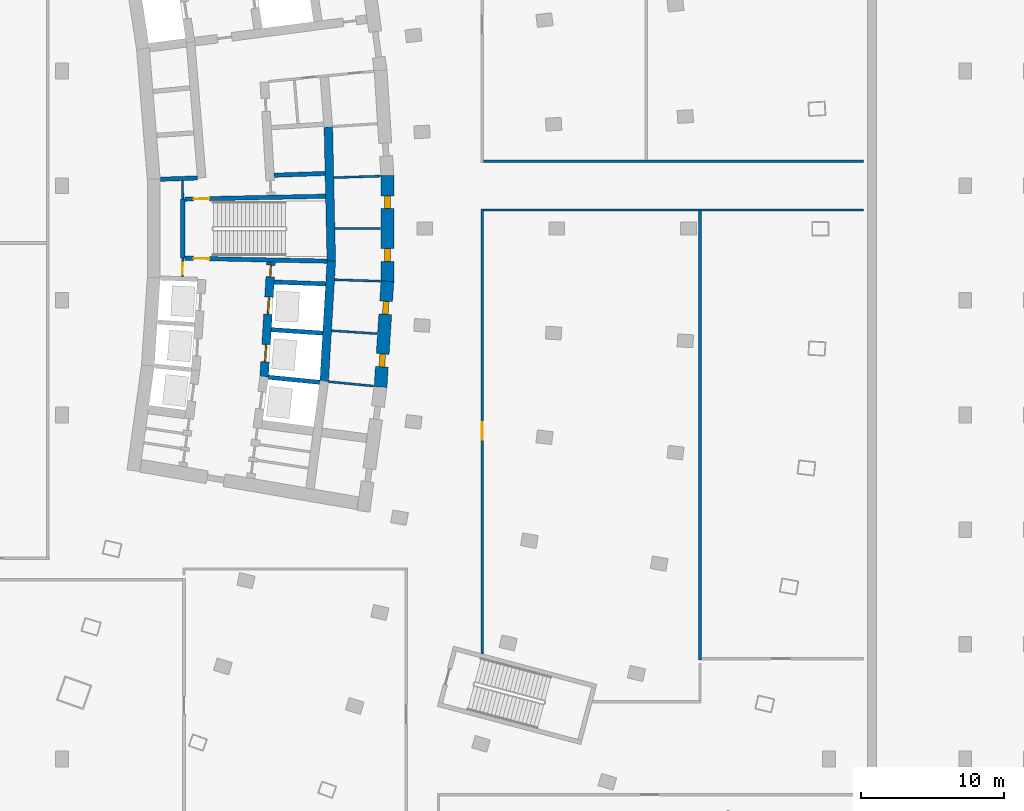
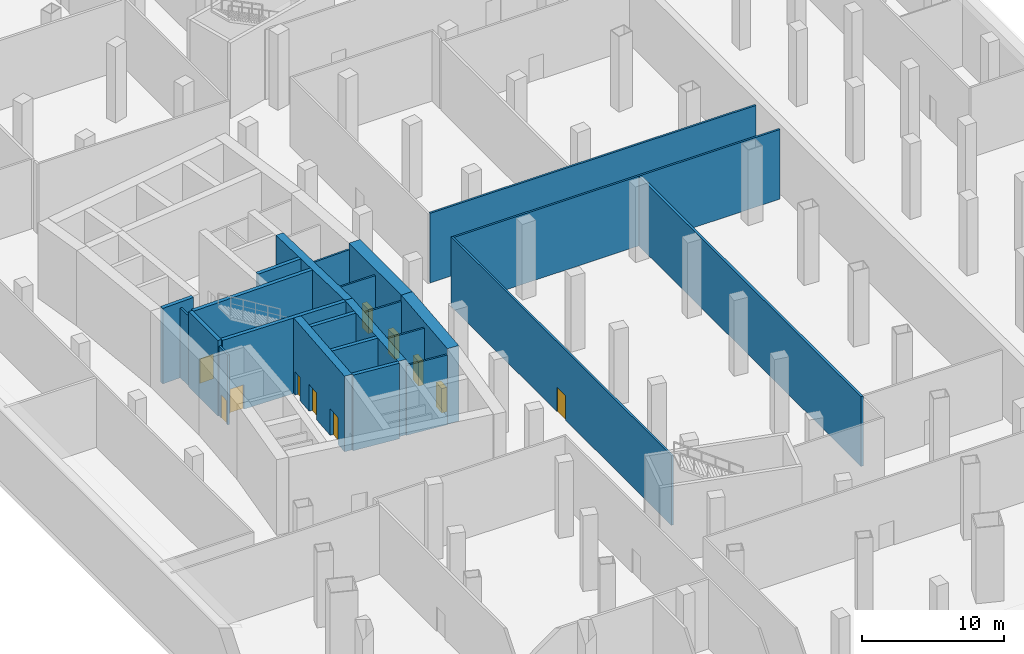
# One storey, part 5 of 16: 24 walls, 11 doors, 11 openings.
"""IFC4 building model written with IfcOpenShell, lengths in metres."""

from ifc_helpers import new_model, si_unit, direction, frame, frame_2d, origin, place, context, subcontext, project, spatial, rectangle, extrude, material, layer, layer_set, type_object, element, fill, save


model = new_model("IFC4")

# Units and contexts
model_context = context("Model", 3, precision=1e-05, world=origin(), true_north=direction((0.0, 1.0)))
body_context = subcontext(model_context, "Body", "Model", "MODEL_VIEW")
ifc_project = project(units=[si_unit("LENGTHUNIT", "METRE"), si_unit("AREAUNIT", "SQUARE_METRE"), si_unit("VOLUMEUNIT", "CUBIC_METRE"), si_unit("PLANEANGLEUNIT", "RADIAN"), si_unit("MASSUNIT", "GRAM", prefix="KILO")], contexts=[model_context])

# Site, building, storey
site_placement = place(None, origin())
site = spatial("IfcSite", under=ifc_project, at=site_placement, CompositionType="ELEMENT")
building_placement = place(site_placement, origin())
building = spatial("IfcBuilding", under=site, at=building_placement, Name="Alderwake Tower", CompositionType="ELEMENT")
storey_placement = place(building_placement, frame((0.0, 0.0, -6.5)))
storey = spatial("IfcBuildingStorey", under=building, at=storey_placement, Name="B1", CompositionType="ELEMENT", Elevation=-6.5)

# Wall, opening, door
ifc_material_1 = material(Name="Gypsum shaft wall system, rated")
ifc_layer_1 = layer(ifc_material_1, 0.14990234375)
ifc_layer_set_1 = layer_set([ifc_layer_1], Name="Core room partition 150")
wall_type_1 = type_object("IfcWallType", Name="Core room partition 150", PredefinedType="PARTITIONING", material=ifc_layer_set_1)
wall_1_placement = place(storey_placement, frame((18.918701171875, 58.94384765625, 0.0), z_axis=(0.0, 0.0, 1.0), x_axis=(-0.027348257573, -0.999625966453, 0.0)))
wall_1 = element("IfcWall", 1, at=wall_1_placement, inside=storey, type_object=wall_type_1, Name="CW/B1/PA+24_-37", PredefinedType="PARTITIONING", context=body_context, shape_type="SweptSolid", body=[
    extrude(rectangle(XDim=1.29443359375, YDim=0.14990234375, at=frame_2d((0.647216796875, 0.0))), origin(), (0.0, 0.0, 1.0), 6.0),
])
opening_1_placement = place(wall_1_placement, frame((0.322998046875, 0.0, 0.0)))
opening_1 = element("IfcOpeningElement", 2, at=opening_1_placement, cuts=wall_1, Name="Opening C004", PredefinedType="OPENING", context=body_context, shape_type="SweptSolid", body=[
    extrude(rectangle(XDim=0.800048828125, YDim=2.0, at=frame_2d((0.39990234375, 1.0))), frame((0.0, 0.0849609375, 0.0), z_axis=(0.0, -1.0, 0.0), x_axis=(1.0, 0.0, 0.0)), (0.0, 0.0, 1.0), 0.169921875),
])
ifc_material_2 = material(Name="Painted steel leaf, rated", Category="steel")
door_type_1 = type_object("IfcDoorType", Name="Riser access door 800", OperationType="SINGLE_SWING_LEFT", PredefinedType="DOOR", material=ifc_material_2)
door_1_placement = place(opening_1_placement, origin())
door_1 = element("IfcDoor", 3, at=door_1_placement, inside=storey, type_object=door_type_1, Name="Riser access door", OperationType="SINGLE_SWING_RIGHT", OverallHeight=2.0, OverallWidth=0.800048828125, PredefinedType="DOOR", context=body_context, shape_type="SweptSolid", body=[
    extrude(rectangle(XDim=0.800048828125, YDim=2.0, at=frame_2d((0.39990234375, 1.0))), frame((0.0, 0.02490234375, 0.0), z_axis=(0.0, -1.0, 0.0), x_axis=(1.0, 0.0, 0.0)), (0.0, 0.0, 1.0), 0.050048828125),
])
fill(opening_1, door_1)

# Walls
wall_2_placement = place(storey_placement, frame((18.918701171875, 63.05517578125, 0.0), z_axis=(0.0, 0.0, 1.0), x_axis=(-0.027327648352, 0.999626530078, 0.0)))
element("IfcWall", 4, at=wall_2_placement, inside=storey, type_object=wall_type_1, Name="CW/B1/PA+24_+22", PredefinedType="PARTITIONING", context=body_context, shape_type="SweptSolid", body=[
    extrude(rectangle(XDim=1.29541015625, YDim=0.14990234375, at=frame_2d((0.647705078125, 0.0))), origin(), (0.0, 0.0, 1.0), 6.0),
])
wall_3_placement = place(storey_placement, frame((29.0791015625, 50.326416015625, 0.0), z_axis=(0.0, 0.0, 1.0), x_axis=(0.995249181795, -0.097360495766, 0.0)))
element("IfcWall", 5, at=wall_3_placement, inside=storey, type_object=wall_type_1, Name="CW/B1/PR-102_+128", PredefinedType="PARTITIONING", context=body_context, shape_type="SweptSolid", body=[
    extrude(rectangle(XDim=3.169677734375, YDim=0.14990234375, at=frame_2d((1.5849609375, 0.0))), origin(), (0.0, 0.0, 1.0), 6.0),
])
wall_4_placement = place(storey_placement, frame((29.289794921875, 53.883056640625, 0.0), z_axis=(0.0, 0.0, 1.0), x_axis=(0.997885290873, -0.064999586616, 0.0)))
element("IfcWall", 6, at=wall_4_placement, inside=storey, type_object=wall_type_1, Name="CW/B1/PR-68_+128", PredefinedType="PARTITIONING", context=body_context, shape_type="SweptSolid", body=[
    extrude(rectangle(XDim=3.18896484375, YDim=0.14990234375, at=frame_2d((1.594482421875, 0.0))), origin(), (0.0, 0.0, 1.0), 6.0),
])
wall_5_placement = place(storey_placement, frame((29.50048828125, 57.4384765625, 0.0), z_axis=(0.0, 0.0, 1.0), x_axis=(0.999470508275, -0.032537717924, 0.0)))
element("IfcWall", 7, at=wall_5_placement, inside=storey, type_object=wall_type_1, Name="CW/B1/PR-34_+128", PredefinedType="PARTITIONING", context=body_context, shape_type="SweptSolid", body=[
    extrude(rectangle(XDim=3.21142578125, YDim=0.14990234375, at=frame_2d((1.605712890625, 0.0))), origin(), (0.0, 0.0, 1.0), 6.0),
])
wall_6_placement = place(storey_placement, frame((29.526123046875, 61.0, 0.0), z_axis=(0.0, 0.0, 1.0), x_axis=(1.0, 0.0, 0.0)))
element("IfcWall", 8, at=wall_6_placement, inside=storey, type_object=wall_type_1, Name="CW/B1/PR+0_+128", PredefinedType="PARTITIONING", context=body_context, shape_type="SweptSolid", body=[
    extrude(rectangle(XDim=3.18408203125, YDim=0.14990234375, at=frame_2d((1.592041015625, 0.0))), origin(), (0.0, 0.0, 1.0), 6.0),
])
wall_7_placement = place(storey_placement, frame((29.447509765625, 64.559814453125, 0.0), z_axis=(0.0, 0.0, 1.0), x_axis=(0.999470664956, 0.032532904763, 0.0)))
element("IfcWall", 9, at=wall_7_placement, inside=storey, type_object=wall_type_1, Name="CW/B1/PR+34_+128", PredefinedType="PARTITIONING", context=body_context, shape_type="SweptSolid", body=[
    extrude(rectangle(XDim=3.264404296875, YDim=0.14990234375, at=frame_2d((1.63232421875, 0.0))), origin(), (0.0, 0.0, 1.0), 6.0),
])

# Wall, openings, doors
ifc_material_3 = material(Name="Concrete C70/85", Category="concrete")
ifc_layer_2 = layer(ifc_material_3, 0.89990234375)
ifc_layer_set_2 = layer_set([ifc_layer_2], Name="Core wall outer 900 C70-85")
wall_type_2 = type_object("IfcWallType", Name="Core wall outer 900 C70-85", PredefinedType="SHEAR", material=ifc_layer_set_2)
wall_8_placement = place(storey_placement, frame((33.191162109375, 57.33349609375, 0.0), z_axis=(0.0, 0.0, 1.0), x_axis=(-0.064976219143, -0.997886812693, 0.0)))
wall_8 = element("IfcWall", 10, at=wall_8_placement, inside=storey, type_object=wall_type_2, Name="Core wall CW.011", PredefinedType="SHEAR", context=body_context, shape_type="SweptSolid", body=[
    extrude(rectangle(XDim=7.39453125, YDim=0.89990234375, at=frame_2d((3.697265625, 0.0))), origin(), (0.0, 0.0, 1.0), 6.5),
])
opening_2_placement = place(wall_8_placement, frame((5.087646484375, 0.0, 0.0)))
opening_2 = element("IfcOpeningElement", 11, at=opening_2_placement, cuts=wall_8, Name="Opening C027", PredefinedType="OPENING", context=body_context, shape_type="SweptSolid", body=[
    extrude(rectangle(XDim=0.89990234375, YDim=2.10009765625, at=frame_2d((0.449951171875, 1.050048828125))), frame((0.0, 0.4599609375, 0.0), z_axis=(0.0, -1.0, 0.0), x_axis=(1.0, 0.0, 0.0)), (0.0, 0.0, 1.0), 0.919921875),
])
opening_3_placement = place(wall_8_placement, frame((1.405517578125, 0.0, 0.0)))
opening_3 = element("IfcOpeningElement", 12, at=opening_3_placement, cuts=wall_8, Name="Opening C029", PredefinedType="OPENING", context=body_context, shape_type="SweptSolid", body=[
    extrude(rectangle(XDim=0.89990234375, YDim=2.10009765625, at=frame_2d((0.449951171875, 1.050048828125))), frame((0.0, 0.4599609375, 0.0), z_axis=(0.0, -1.0, 0.0), x_axis=(1.0, 0.0, 0.0)), (0.0, 0.0, 1.0), 0.919921875),
])
ifc_material_4 = material(Name="Painted steel leaf", Category="steel")
door_type_2 = type_object("IfcDoorType", Name="Core room door 900", OperationType="SINGLE_SWING_LEFT", PredefinedType="DOOR", material=ifc_material_4)
door_2_placement = place(opening_2_placement, origin())
door_2 = element("IfcDoor", 13, at=door_2_placement, inside=storey, type_object=door_type_2, Name="Room door", OperationType="SINGLE_SWING_RIGHT", OverallHeight=2.10009765625, OverallWidth=0.89990234375, PredefinedType="DOOR", context=body_context, shape_type="SweptSolid", body=[
    extrude(rectangle(XDim=0.89990234375, YDim=2.10009765625, at=frame_2d((0.449951171875, 1.050048828125))), frame((0.0, 0.199951171875, 0.0), z_axis=(0.0, -1.0, 0.0), x_axis=(1.0, 0.0, 0.0)), (0.0, 0.0, 1.0), 0.39990234375),
])
fill(opening_2, door_2)
door_3_placement = place(opening_3_placement, origin())
door_3 = element("IfcDoor", 14, at=door_3_placement, inside=storey, type_object=door_type_2, Name="Room door", OperationType="SINGLE_SWING_LEFT", OverallHeight=2.10009765625, OverallWidth=0.89990234375, PredefinedType="DOOR", context=body_context, shape_type="SweptSolid", body=[
    extrude(rectangle(XDim=0.89990234375, YDim=2.10009765625, at=frame_2d((0.449951171875, 1.050048828125))), frame((0.0, 0.199951171875, 0.0), z_axis=(0.0, -1.0, 0.0), x_axis=(1.0, 0.0, 0.0)), (0.0, 0.0, 1.0), 0.39990234375),
])
fill(opening_3, door_3)

wall_9_placement = place(storey_placement, frame((33.190185546875, 64.69677734375, 0.0), z_axis=(0.0, 0.0, 1.0), x_axis=(0.0, -1.0, 0.0)))
wall_9 = element("IfcWall", 15, at=wall_9_placement, inside=storey, type_object=wall_type_2, Name="Core wall CW.013", PredefinedType="SHEAR", context=body_context, shape_type="SweptSolid", body=[
    extrude(rectangle(XDim=7.3935546875, YDim=0.89990234375, at=frame_2d((3.69677734375, 0.0))), origin(), (0.0, 0.0, 1.0), 6.5),
])
opening_4_placement = place(wall_9_placement, frame((5.087646484375, 0.0, 0.0)))
opening_4 = element("IfcOpeningElement", 16, at=opening_4_placement, cuts=wall_9, Name="Opening C031", PredefinedType="OPENING", context=body_context, shape_type="SweptSolid", body=[
    extrude(rectangle(XDim=0.89990234375, YDim=2.10009765625, at=frame_2d((0.449951171875, 1.050048828125))), frame((0.0, 0.4599609375, 0.0), z_axis=(0.0, -1.0, 0.0), x_axis=(1.0, 0.0, 0.0)), (0.0, 0.0, 1.0), 0.919921875),
])
opening_5_placement = place(wall_9_placement, frame((1.405517578125, 0.0, 0.0)))
opening_5 = element("IfcOpeningElement", 17, at=opening_5_placement, cuts=wall_9, Name="Opening C034", PredefinedType="OPENING", context=body_context, shape_type="SweptSolid", body=[
    extrude(rectangle(XDim=0.89990234375, YDim=2.10009765625, at=frame_2d((0.449951171875, 1.050048828125))), frame((0.0, 0.4599609375, 0.0), z_axis=(0.0, -1.0, 0.0), x_axis=(1.0, 0.0, 0.0)), (0.0, 0.0, 1.0), 0.919921875),
])
door_4_placement = place(opening_4_placement, origin())
door_4 = element("IfcDoor", 18, at=door_4_placement, inside=storey, type_object=door_type_2, Name="Room door", OperationType="SINGLE_SWING_RIGHT", OverallHeight=2.10009765625, OverallWidth=0.89990234375, PredefinedType="DOOR", context=body_context, shape_type="SweptSolid", body=[
    extrude(rectangle(XDim=0.89990234375, YDim=2.10009765625, at=frame_2d((0.449951171875, 1.050048828125))), frame((0.0, 0.199951171875, 0.0), z_axis=(0.0, -1.0, 0.0), x_axis=(1.0, 0.0, 0.0)), (0.0, 0.0, 1.0), 0.39990234375),
])
fill(opening_4, door_4)
door_5_placement = place(opening_5_placement, origin())
door_5 = element("IfcDoor", 19, at=door_5_placement, inside=storey, type_object=door_type_2, Name="Room door", OperationType="SINGLE_SWING_LEFT", OverallHeight=2.10009765625, OverallWidth=0.89990234375, PredefinedType="DOOR", context=body_context, shape_type="SweptSolid", body=[
    extrude(rectangle(XDim=0.89990234375, YDim=2.10009765625, at=frame_2d((0.449951171875, 1.050048828125))), frame((0.0, 0.199951171875, 0.0), z_axis=(0.0, -1.0, 0.0), x_axis=(1.0, 0.0, 0.0)), (0.0, 0.0, 1.0), 0.39990234375),
])
fill(opening_5, door_5)

# Walls
ifc_material_5 = material(Name="Concrete C70/85", Category="concrete")
ifc_layer_3 = layer(ifc_material_5, 0.300048828125)
ifc_layer_set_3 = layer_set([ifc_layer_3], Name="Core wall shaft 300 C70-85")
wall_type_3 = type_object("IfcWallType", Name="Core wall shaft 300 C70-85", PredefinedType="SHEAR", material=ifc_layer_set_3)
wall_10_placement = place(storey_placement, frame((24.889404296875, 50.635009765625, 0.0), z_axis=(0.0, 0.0, 1.0), x_axis=(0.995156121494, -0.098307140396, 0.0)))
element("IfcWall", 20, at=wall_10_placement, inside=storey, type_object=wall_type_3, Name="Core wall CW.066", PredefinedType="SHEAR", context=body_context, shape_type="SweptSolid", body=[
    extrude(rectangle(XDim=3.595947265625, YDim=0.300048828125, at=frame_2d((1.7978515625, 0.0))), origin(), (0.0, 0.0, 1.0), 6.5),
])
wall_11_placement = place(storey_placement, frame((25.090087890625, 53.954833984375, 0.0), z_axis=(0.0, 0.0, 1.0), x_axis=(0.997758045734, -0.066924451231, 0.0)))
element("IfcWall", 21, at=wall_11_placement, inside=storey, type_object=wall_type_3, Name="Core wall CW.080", PredefinedType="SHEAR", context=body_context, shape_type="SweptSolid", body=[
    extrude(rectangle(XDim=3.596923828125, YDim=0.300048828125, at=frame_2d((1.79833984375, 0.0))), origin(), (0.0, 0.0, 1.0), 6.5),
])
wall_12_placement = place(storey_placement, frame((25.29052734375, 57.27294921875, 0.0), z_axis=(0.0, 0.0, 1.0), x_axis=(0.99937585491, -0.035325636908, 0.0)))
element("IfcWall", 22, at=wall_12_placement, inside=storey, type_object=wall_type_3, Name="Core wall CW.077", PredefinedType="SHEAR", context=body_context, shape_type="SweptSolid", body=[
    extrude(rectangle(XDim=3.59375, YDim=0.300048828125, at=frame_2d((1.796875, 0.0))), origin(), (0.0, 0.0, 1.0), 6.5),
])
wall_13_placement = place(storey_placement, frame((17.369384765625, 64.446533203125, 0.0), z_axis=(0.0, 0.0, 1.0), x_axis=(0.999371660382, 0.035444102817, 0.0)))
element("IfcWall", 23, at=wall_13_placement, inside=storey, type_object=wall_type_3, Name="Core wall CW.059", PredefinedType="SHEAR", context=body_context, shape_type="SweptSolid", body=[
    extrude(rectangle(XDim=2.5693359375, YDim=0.300048828125, at=frame_2d((1.28466796875, 0.0))), origin(), (0.0, 0.0, 1.0), 6.5),
])
wall_14_placement = place(storey_placement, frame((25.291259765625, 64.72705078125, 0.0), z_axis=(0.0, 0.0, 1.0), x_axis=(0.999373231824, 0.035399767136, 0.0)))
element("IfcWall", 24, at=wall_14_placement, inside=storey, type_object=wall_type_3, Name="Core wall CW.060", PredefinedType="SHEAR", context=body_context, shape_type="SweptSolid", body=[
    extrude(rectangle(XDim=3.5517578125, YDim=0.300048828125, at=frame_2d((1.77587890625, 0.0))), origin(), (0.0, 0.0, 1.0), 6.5),
])

# Wall, openings, doors
ifc_material_6 = material(Name="Concrete C70/85", Category="concrete")
ifc_layer_4 = layer(ifc_material_6, 0.60009765625)
ifc_layer_set_4 = layer_set([ifc_layer_4], Name="Core wall spine 600 C70-85")
wall_type_4 = type_object("IfcWallType", Name="Core wall spine 600 C70-85", PredefinedType="SHEAR", material=ifc_layer_set_4)
wall_15_placement = place(storey_placement, frame((24.58984375, 50.6533203125, 0.0), z_axis=(0.0, 0.0, 1.0), x_axis=(0.060323309079, 0.998178890972, 0.0)))
wall_15 = element("IfcWall", 25, at=wall_15_placement, inside=storey, type_object=wall_type_4, Name="Core wall CW.046", PredefinedType="SHEAR", context=body_context, shape_type="SweptSolid", body=[
    extrude(rectangle(XDim=8.025634765625, YDim=0.60009765625, at=frame_2d((4.0126953125, 0.0))), origin(), (0.0, 0.0, 1.0), 6.5),
])
opening_6_placement = place(wall_15_placement, frame((1.06884765625, 0.0, 0.0)))
opening_6 = element("IfcOpeningElement", 26, at=opening_6_placement, cuts=wall_15, Name="Opening LD-LP5", PredefinedType="OPENING", context=body_context, shape_type="SweptSolid", body=[
    extrude(rectangle(XDim=1.199951171875, YDim=2.300048828125, at=frame_2d((0.60009765625, 1.14990234375))), frame((0.0, 0.31005859375, 0.0), z_axis=(0.0, -1.0, 0.0), x_axis=(1.0, 0.0, 0.0)), (0.0, 0.0, 1.0), 0.6201171875),
])
opening_7_placement = place(wall_15_placement, frame((4.38525390625, 0.0, 0.0)))
opening_7 = element("IfcOpeningElement", 27, at=opening_7_placement, cuts=wall_15, Name="Opening LD-LP6", PredefinedType="OPENING", context=body_context, shape_type="SweptSolid", body=[
    extrude(rectangle(XDim=1.199951171875, YDim=2.300048828125, at=frame_2d((0.60009765625, 1.14990234375))), frame((0.0, 0.31005859375, 0.0), z_axis=(0.0, -1.0, 0.0), x_axis=(1.0, 0.0, 0.0)), (0.0, 0.0, 1.0), 0.6201171875),
])
opening_8_placement = place(wall_15_placement, frame((7.009521484375, 0.0, 0.0)))
opening_8 = element("IfcOpeningElement", 28, at=opening_8_placement, cuts=wall_15, Name="Opening C006", PredefinedType="OPENING", context=body_context, shape_type="SweptSolid", body=[
    extrude(rectangle(XDim=0.800048828125, YDim=2.0, at=frame_2d((0.39990234375, 1.0))), frame((0.0, 0.31005859375, 0.0), z_axis=(0.0, -1.0, 0.0), x_axis=(1.0, 0.0, 0.0)), (0.0, 0.0, 1.0), 0.6201171875),
])
ifc_material_7 = material(Name="Stainless steel sliding leaf", Category="steel")
door_type_3 = type_object("IfcDoorType", Name="Lift landing door 1200", OperationType="SLIDING_TO_LEFT", PredefinedType="DOOR", material=ifc_material_7)
door_6_placement = place(opening_6_placement, origin())
door_6 = element("IfcDoor", 29, at=door_6_placement, inside=storey, type_object=door_type_3, Name="Lift landing door LP5", OperationType="SLIDING_TO_LEFT", OverallHeight=2.300048828125, OverallWidth=1.199951171875, PredefinedType="DOOR", context=body_context, shape_type="SweptSolid", body=[
    extrude(rectangle(XDim=1.199951171875, YDim=2.300048828125, at=frame_2d((0.60009765625, 1.14990234375))), frame((0.0, 0.050048828125, 0.0), z_axis=(0.0, -1.0, 0.0), x_axis=(1.0, 0.0, 0.0)), (0.0, 0.0, 1.0), 0.10009765625),
])
fill(opening_6, door_6)
door_7_placement = place(opening_7_placement, origin())
door_7 = element("IfcDoor", 30, at=door_7_placement, inside=storey, type_object=door_type_3, Name="Lift landing door LP6", OperationType="SLIDING_TO_LEFT", OverallHeight=2.300048828125, OverallWidth=1.199951171875, PredefinedType="DOOR", context=body_context, shape_type="SweptSolid", body=[
    extrude(rectangle(XDim=1.199951171875, YDim=2.300048828125, at=frame_2d((0.60009765625, 1.14990234375))), frame((0.0, 0.050048828125, 0.0), z_axis=(0.0, -1.0, 0.0), x_axis=(1.0, 0.0, 0.0)), (0.0, 0.0, 1.0), 0.10009765625),
])
fill(opening_7, door_7)
door_8_placement = place(opening_8_placement, origin())
door_8 = element("IfcDoor", 31, at=door_8_placement, inside=storey, type_object=door_type_1, Name="Riser access door", OperationType="SINGLE_SWING_RIGHT", OverallHeight=2.0, OverallWidth=0.800048828125, PredefinedType="DOOR", context=body_context, shape_type="SweptSolid", body=[
    extrude(rectangle(XDim=0.800048828125, YDim=2.0, at=frame_2d((0.39990234375, 1.0))), frame((0.0, 0.050048828125, 0.0), z_axis=(0.0, -1.0, 0.0), x_axis=(1.0, 0.0, 0.0)), (0.0, 0.0, 1.0), 0.10009765625),
])
fill(opening_8, door_8)

# Walls
wall_16_placement = place(storey_placement, frame((28.77978515625, 50.34423828125, 0.0), z_axis=(0.0, 0.0, 1.0), x_axis=(0.059133840665, 0.998250063305, 0.0)))
element("IfcWall", 32, at=wall_16_placement, inside=storey, type_object=wall_type_4, Name="Core wall CW.004", PredefinedType="SHEAR", context=body_context, shape_type="SweptSolid", body=[
    extrude(rectangle(XDim=8.409912109375, YDim=0.60009765625, at=frame_2d((4.205078125, 0.0))), origin(), (0.0, 0.0, 1.0), 6.5),
])
wall_17_placement = place(storey_placement, frame((29.276611328125, 58.714111328125, 0.0), z_axis=(0.0, 0.0, 1.0), x_axis=(-0.022102514973, 0.999755709577, 0.0)))
element("IfcWall", 33, at=wall_17_placement, inside=storey, type_object=wall_type_4, Name="Core wall CW.007", PredefinedType="SHEAR", context=body_context, shape_type="SweptSolid", body=[
    extrude(rectangle(XDim=9.39990234375, YDim=0.60009765625, at=frame_2d((4.699951171875, 0.0))), origin(), (0.0, 0.0, 1.0), 6.5),
])
ifc_material_8 = material(Name="Concrete C70/85", Category="concrete")
ifc_layer_5 = layer(ifc_material_8, 0.300048828125)
ifc_layer_set_5 = layer_set([ifc_layer_5], Name="Core wall stair enclosure 300 C70-85")
wall_type_5 = type_object("IfcWallType", Name="Core wall stair enclosure 300 C70-85", PredefinedType="SHEAR", material=ifc_layer_set_5)
wall_18_placement = place(storey_placement, frame((18.918701171875, 58.94091796875, 0.0), z_axis=(0.0, 0.0, 1.0), x_axis=(0.0, 1.0, 0.0)))
element("IfcWall", 34, at=wall_18_placement, inside=storey, type_object=wall_type_5, Name="Core wall CW.024", PredefinedType="SHEAR", context=body_context, shape_type="SweptSolid", body=[
    extrude(rectangle(XDim=4.119384765625, YDim=0.300048828125, at=frame_2d((2.0595703125, 0.0))), origin(), (0.0, 0.0, 1.0), 6.5),
])

# Wall, opening, door
wall_19_placement = place(storey_placement, frame((28.976318359375, 58.733154296875, 0.0), z_axis=(0.0, 0.0, 1.0), x_axis=(-0.999783804252, 0.020792901552, 0.0)))
wall_19 = element("IfcWall", 35, at=wall_19_placement, inside=storey, type_object=wall_type_5, Name="Core wall CW.074", PredefinedType="SHEAR", context=body_context, shape_type="SweptSolid", body=[
    extrude(rectangle(XDim=9.909912109375, YDim=0.300048828125, at=frame_2d((4.955078125, 0.0))), origin(), (0.0, 0.0, 1.0), 6.5),
])
opening_9_placement = place(wall_19_placement, frame((8.209716796875, 0.0, 0.0)))
opening_9 = element("IfcOpeningElement", 36, at=opening_9_placement, cuts=wall_19, Name="Opening C063", PredefinedType="OPENING", context=body_context, shape_type="SweptSolid", body=[
    extrude(rectangle(XDim=1.10009765625, YDim=2.10009765625, at=frame_2d((0.550048828125, 1.050048828125))), frame((0.0, 0.159912109375, 0.0), z_axis=(0.0, -1.0, 0.0), x_axis=(1.0, 0.0, 0.0)), (0.0, 0.0, 1.0), 0.320068359375),
])
ifc_material_9 = material(Name="Steel-framed fire door leaf", Category="steel")
door_type_4 = type_object("IfcDoorType", Name="Core stair door 1100 fire-rated", OperationType="SINGLE_SWING_LEFT", PredefinedType="DOOR", material=ifc_material_9)
door_9_placement = place(opening_9_placement, origin())
door_9 = element("IfcDoor", 37, at=door_9_placement, inside=storey, type_object=door_type_4, Name="Stair door", OperationType="SINGLE_SWING_LEFT", OverallHeight=2.10009765625, OverallWidth=1.10009765625, PredefinedType="DOOR", context=body_context, shape_type="SweptSolid", body=[
    extrude(rectangle(XDim=1.10009765625, YDim=2.10009765625, at=frame_2d((0.550048828125, 1.050048828125))), frame((0.0, 0.02490234375, 0.0), z_axis=(0.0, -1.0, 0.0), x_axis=(1.0, 0.0, 0.0)), (0.0, 0.0, 1.0), 0.050048828125),
])
fill(opening_9, door_9)

wall_20_placement = place(storey_placement, frame((19.068603515625, 63.060791015625, 0.0), z_axis=(0.0, 0.0, 1.0), x_axis=(0.999783520771, 0.020806527678, 0.0)))
wall_20 = element("IfcWall", 38, at=wall_20_placement, inside=storey, type_object=wall_type_5, Name="Core wall CW.057", PredefinedType="SHEAR", context=body_context, shape_type="SweptSolid", body=[
    extrude(rectangle(XDim=9.8095703125, YDim=0.300048828125, at=frame_2d((4.90478515625, 0.0))), origin(), (0.0, 0.0, 1.0), 6.5),
])
opening_10_placement = place(wall_20_placement, frame((0.60009765625, 0.0, 0.0)))
opening_10 = element("IfcOpeningElement", 39, at=opening_10_placement, cuts=wall_20, Name="Opening C064", PredefinedType="OPENING", context=body_context, shape_type="SweptSolid", body=[
    extrude(rectangle(XDim=1.10009765625, YDim=2.10009765625, at=frame_2d((0.550048828125, 1.050048828125))), frame((0.0, 0.159912109375, 0.0), z_axis=(0.0, -1.0, 0.0), x_axis=(1.0, 0.0, 0.0)), (0.0, 0.0, 1.0), 0.320068359375),
])
door_10_placement = place(opening_10_placement, origin())
door_10 = element("IfcDoor", 40, at=door_10_placement, inside=storey, type_object=door_type_4, Name="Stair door", OperationType="SINGLE_SWING_RIGHT", OverallHeight=2.10009765625, OverallWidth=1.10009765625, PredefinedType="DOOR", context=body_context, shape_type="SweptSolid", body=[
    extrude(rectangle(XDim=1.10009765625, YDim=2.10009765625, at=frame_2d((0.550048828125, 1.050048828125))), frame((0.0, 0.02490234375, 0.0), z_axis=(0.0, -1.0, 0.0), x_axis=(1.0, 0.0, 0.0)), (0.0, 0.0, 1.0), 0.050048828125),
])
fill(opening_10, door_10)

ifc_material_10 = material(Name="Gypsum board on metal studs, rated")
ifc_layer_6 = layer(ifc_material_10, 0.159912109375)
ifc_layer_set_6 = layer_set([ifc_layer_6], Name="Corridor wall 160")
wall_type_6 = type_object("IfcWallType", Name="Corridor wall 160", PredefinedType="PARTITIONING", material=ifc_layer_set_6)
wall_21_placement = place(storey_placement, frame((39.801025390625, 31.341064453125, 0.0), z_axis=(0.0, 0.0, 1.0), x_axis=(0.0, 1.0, 0.0)))
wall_21 = element("IfcWall", 41, at=wall_21_placement, inside=storey, type_object=wall_type_6, Name="WL/B1/W44", PredefinedType="PARTITIONING", context=body_context, shape_type="SweptSolid", body=[
    extrude(rectangle(XDim=31.0400390625, YDim=0.159912109375, at=frame_2d((15.52001953125, 0.0))), origin(), (0.0, 0.0, 1.0), 6.0),
])
opening_11_placement = place(wall_21_placement, frame((14.950439453125, 0.0, 0.0)))
opening_11 = element("IfcOpeningElement", 42, at=opening_11_placement, cuts=wall_21, Name="Opening B1-25", PredefinedType="OPENING", context=body_context, shape_type="SweptSolid", body=[
    extrude(rectangle(XDim=1.199951171875, YDim=2.10009765625, at=frame_2d((0.60009765625, 1.050048828125))), frame((0.0, 0.08984375, 0.0), z_axis=(0.0, -1.0, 0.0), x_axis=(1.0, 0.0, 0.0)), (0.0, 0.0, 1.0), 0.179931640625),
])
ifc_material_11 = material(Name="Steel door leaf in steel frame", Category="steel")
door_type_5 = type_object("IfcDoorType", Name="Plant room door 1200 steel", OperationType="SINGLE_SWING_LEFT", PredefinedType="DOOR", material=ifc_material_11)
door_11_placement = place(opening_11_placement, origin())
door_11 = element("IfcDoor", 43, at=door_11_placement, inside=storey, type_object=door_type_5, Name="DR/B1/25", OperationType="SINGLE_SWING_LEFT", OverallHeight=2.10009765625, OverallWidth=1.199951171875, PredefinedType="DOOR", context=body_context, shape_type="SweptSolid", body=[
    extrude(rectangle(XDim=1.199951171875, YDim=2.10009765625, at=frame_2d((0.60009765625, 1.050048828125))), frame((0.0, 0.02490234375, 0.0), z_axis=(0.0, -1.0, 0.0), x_axis=(1.0, 0.0, 0.0)), (0.0, 0.0, 1.0), 0.050048828125),
])
fill(opening_11, door_11)

# Walls
for number, where, z_axis, x_axis, name in (
    (44, (39.881103515625, 62.301025390625, 0.0), (0.0, 0.0, 1.0), (1.0, 0.0, 0.0), "WL/B1/W45"),
    (45, (66.39892578125, 65.699951171875, 0.0), (0.0, 0.0, 1.0), (-1.0, 0.0, 0.0), "WL/B1/W55"),
):
    element("IfcWall", number, at=place(storey_placement, frame(where, z_axis=z_axis, x_axis=x_axis)), inside=storey, type_object=wall_type_6, Name=name, PredefinedType="PARTITIONING", context=body_context, shape_type="SweptSolid", body=[
        extrude(rectangle(XDim=26.517822265625, YDim=0.159912109375, at=frame_2d((13.2587890625, 0.0))), origin(), (0.0, 0.0, 1.0), 6.0),
    ])
ifc_material_12 = material(Name="Dense block masonry wall", Category="masonry")
ifc_layer_7 = layer(ifc_material_12, 0.199951171875)
ifc_layer_set_7 = layer_set([ifc_layer_7], Name="Party wall 200")
wall_type_7 = type_object("IfcWallType", Name="Party wall 200", PredefinedType="SOLIDWALL", material=ifc_layer_set_7)
wall_22_placement = place(storey_placement, frame((54.9990234375, 30.9189453125, 0.0), z_axis=(0.0, 0.0, 1.0), x_axis=(0.0, 1.0, 0.0)))
element("IfcWall", 46, at=wall_22_placement, inside=storey, type_object=wall_type_7, Name="WL/B1/W10", PredefinedType="SOLIDWALL", context=body_context, shape_type="SweptSolid", body=[
    extrude(rectangle(XDim=31.302001953125, YDim=0.199951171875, at=frame_2d((15.65087890625, 0.0))), origin(), (0.0, 0.0, 1.0), 6.0),
])

save(model, "model.ifc")
